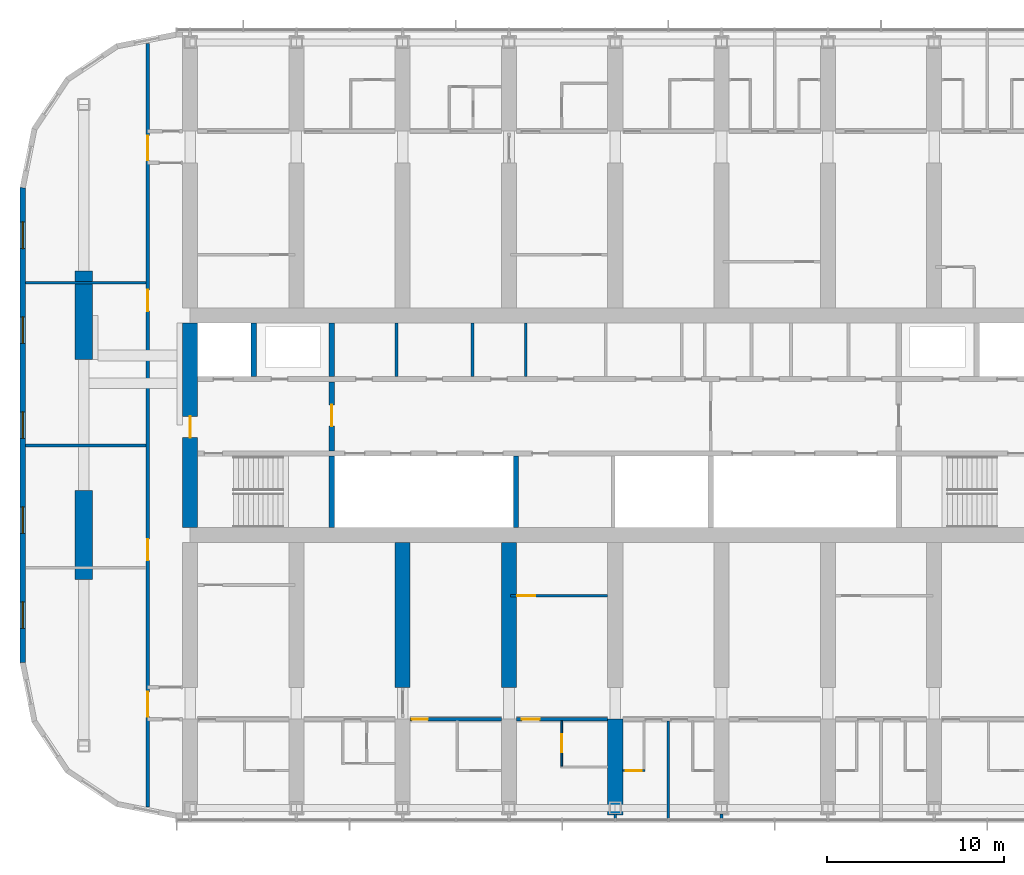
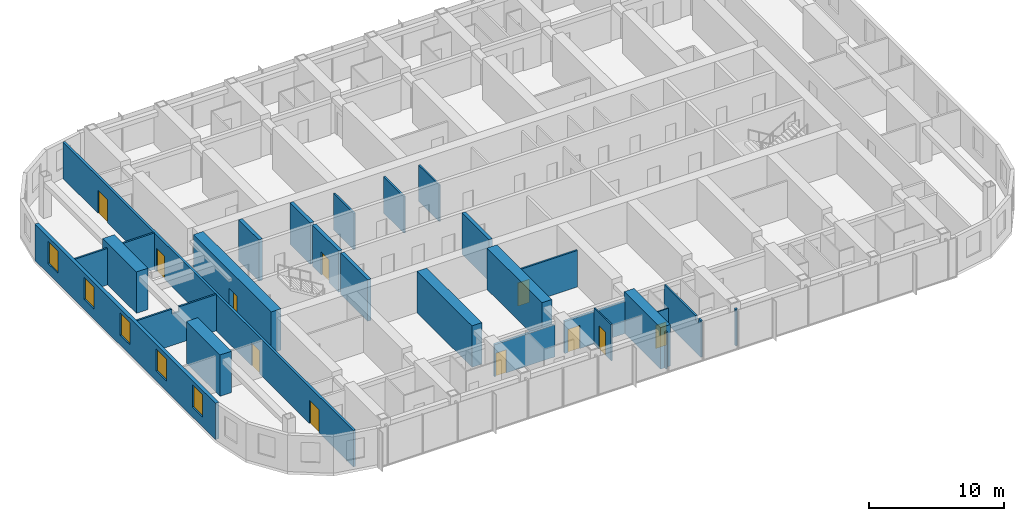
# One storey, part 11 of 23: 26 walls, 11 doors, 5 windows, 16 openings.
"""IFC4 building model written with IfcOpenShell, lengths in metres."""

import ifcopenshell
import ifcopenshell.guid

model = None  # the IFC model being written
_history = None  # IfcOwnerHistory: only IFC2X3 demands one
_inside = {}  # id of a spatial element -> (the spatial element, [elements in it])
_under = {}  # id of a project, library or spatial element -> (it, [spatial elements below it])
_declared = {}  # id of a project -> (the project, [libraries it declares])
_typed = {}  # id of a type object -> (the type object, [elements of that type])
_made_of = {}  # id of a material, layer set ... -> (it, [elements and type objects made of it])


def new_model(schema):
    """Start an empty IFC model of exactly this schema.

    Asked for "IFC4X3", IfcOpenShell would pick the latest addendum, in which some entities
    have other attributes; the version numbers below select the first issue.
    IFC2X3 requires an IfcOwnerHistory on every rooted entity: one is made here for all.
    """
    global model, _history
    if schema == "IFC4X3":
        model = ifcopenshell.file(schema_version=(4, 3, 0, 0))
    else:
        model = ifcopenshell.file(schema=schema)
    _inside.clear()
    _under.clear()
    _declared.clear()
    _typed.clear()
    _made_of.clear()
    _history = None
    if model.schema == "IFC2X3":
        org = make("IfcOrganization", Name="unknown")
        user = make(
            "IfcPersonAndOrganization",
            ThePerson=make("IfcPerson", FamilyName="unknown"),
            TheOrganization=org,
        )
        app = make(
            "IfcApplication",
            ApplicationDeveloper=org,
            Version="unknown",
            ApplicationFullName="unknown",
            ApplicationIdentifier="unknown",
        )
        _history = make(
            "IfcOwnerHistory",
            OwningUser=user,
            OwningApplication=app,
            ChangeAction="ADDED",
            CreationDate=0,
        )
    return model


def make(cls, **values):
    """One entity of the class cls with the attributes given. An attribute that is None is left unset."""
    return model.create_entity(
        cls, **{name: value for name, value in values.items() if value is not None}
    )


def rooted(cls, **values):
    """An entity with a GlobalId (a new one), such as an element, a storey or a relation."""
    return make(cls, GlobalId=ifcopenshell.guid.new(), OwnerHistory=_history, **values)


def si_unit(unit_type, name, prefix=None):
    """IfcSIUnit, for example si_unit("LENGTHUNIT", "METRE", prefix="MILLI")."""
    return make("IfcSIUnit", UnitType=unit_type, Prefix=prefix, Name=name)


def assignment(units):
    """IfcUnitAssignment: the units of a project."""
    return None if units is None else make("IfcUnitAssignment", Units=units)


def point(xyz):
    """IfcCartesianPoint."""
    return None if xyz is None else make("IfcCartesianPoint", Coordinates=xyz)


def direction(xyz):
    """IfcDirection."""
    return None if xyz is None else make("IfcDirection", DirectionRatios=xyz)


def frame(location, z_axis=None, x_axis=None):
    """IfcAxis2Placement3D, a coordinate frame: its origin and axes. An axis left out is left unset."""
    return make(
        "IfcAxis2Placement3D",
        Location=point(location),
        Axis=direction(z_axis),
        RefDirection=direction(x_axis),
    )


def frame_2d(location, x_axis=None):
    """IfcAxis2Placement2D, a coordinate frame in the plane: its origin and x axis."""
    return make(
        "IfcAxis2Placement2D", Location=point(location), RefDirection=direction(x_axis)
    )


def origin():
    """The frame at (0, 0, 0) with its axes left unset."""
    return frame((0.0, 0.0, 0.0))


def place(relative_to, where):
    """IfcLocalPlacement: puts the frame where relative to a parent placement (None: the world)."""
    return make(
        "IfcLocalPlacement", PlacementRelTo=relative_to, RelativePlacement=where
    )


def context(
    kind, dimensions, precision=None, world=None, true_north=None, identifier=None
):
    """IfcGeometricRepresentationContext, for example the 3D "Model" context."""
    return make(
        "IfcGeometricRepresentationContext",
        ContextIdentifier=identifier,
        ContextType=kind,
        CoordinateSpaceDimension=dimensions,
        Precision=precision,
        WorldCoordinateSystem=world,
        TrueNorth=true_north,
    )


def subcontext(parent, identifier, kind, view, scale=None):
    """IfcGeometricRepresentationSubContext, for example "Body" below "Model"."""
    return make(
        "IfcGeometricRepresentationSubContext",
        ContextIdentifier=identifier,
        ContextType=kind,
        ParentContext=parent,
        TargetScale=scale,
        TargetView=view,
    )


def project(units=None, contexts=None):
    """IfcProject with its units and contexts."""
    return rooted(
        "IfcProject",
        Name="project",
        RepresentationContexts=contexts,
        UnitsInContext=assignment(units),
    )


def spatial(cls, under=None, at=None, **own):
    """A site, building, storey or space (cls), placed at a placement, below another one or the project."""
    s = rooted(cls, ObjectPlacement=at, **own)
    if under is not None:
        _under.setdefault(under.id(), (under, []))[1].append(s)
    return s


def polyline(points):
    """IfcPolyline through the points."""
    return make("IfcPolyline", Points=[point(p) for p in points])


def profile(cls, at=None, kind="AREA", **sizes):
    """A parametric profile (cls). Its sizes go by their IFC names, for example OverallWidth=200.0."""
    return make(cls, ProfileType=kind, Position=at, **sizes)


def rectangle(**sizes):
    """IfcRectangleProfileDef."""
    return profile("IfcRectangleProfileDef", **sizes)


def outline(outer, holes=None, kind="AREA"):
    """IfcArbitraryClosedProfileDef: a profile drawn as a closed curve; with holes, ...WithVoids."""
    if holes is None:
        return make("IfcArbitraryClosedProfileDef", ProfileType=kind, OuterCurve=outer)
    return make(
        "IfcArbitraryProfileDefWithVoids",
        ProfileType=kind,
        OuterCurve=outer,
        InnerCurves=holes,
    )


def extrude(swept, where, along, depth):
    """IfcExtrudedAreaSolid: the profile swept, set in the frame where, extruded along a direction by depth."""
    return make(
        "IfcExtrudedAreaSolid",
        SweptArea=swept,
        Position=where,
        ExtrudedDirection=direction(along),
        Depth=depth,
    )


def shape(context_of_items, identifier, shape_type, items):
    """IfcShapeRepresentation: the items that make up one representation, for example the "Body"."""
    return make(
        "IfcShapeRepresentation",
        ContextOfItems=context_of_items,
        RepresentationIdentifier=identifier,
        RepresentationType=shape_type,
        Items=items,
    )


def material(Name=None, Category=None):
    """IfcMaterial."""
    return make("IfcMaterial", Name=Name, Category=Category)


def layer(
    of_material, thickness, ventilated=None, Name=None, Category=None, Priority=None
):
    """IfcMaterialLayer: one layer of a wall or slab, of a material (None: an air gap)."""
    return make(
        "IfcMaterialLayer",
        Material=of_material,
        LayerThickness=thickness,
        IsVentilated=ventilated,
        Name=Name,
        Category=Category,
        Priority=Priority,
    )


def layer_set(layers, Name=None):
    """IfcMaterialLayerSet."""
    return make("IfcMaterialLayerSet", MaterialLayers=layers, LayerSetName=Name)


def made_of(thing, what):
    """Note that an element or type object is made of a material, layer set ...; save() writes the relation."""
    if what is not None:
        _made_of.setdefault(what.id(), (what, []))[1].append(thing)
    return thing


def type_object(cls, material=None, **own):
    """A type object (cls), such as IfcWallType, which elements share."""
    return made_of(rooted(cls, **own), material)


def element(
    cls,
    number,
    at=None,
    inside=None,
    cuts=None,
    type_object=None,
    material=None,
    context=None,
    identifier="Body",
    shape_type=None,
    held_by="IfcProductDefinitionShape",
    body=None,
    shapes=None,
    **own,
):
    """One element of the class cls, such as IfcWall. Its Tag is "e" and its number.

    at: its placement. inside: the storey or other place that contains it. cuts: it is an
    opening in that element (IfcRelVoidsElement). A single representation is given by context,
    identifier, shape_type and body (its items); several are given by shapes. held_by: the class
    of the entity that holds the representations. save() writes the other relations.
    """
    e = rooted(cls, Tag="e%d" % number, ObjectPlacement=at, **own)
    if body is not None:
        shapes = [shape(context, identifier, shape_type, body)]
    if shapes is not None:
        e.Representation = make(held_by, Representations=shapes)
    if inside is not None:
        _inside.setdefault(inside.id(), (inside, []))[1].append(e)
    if cuts is not None:
        rooted(
            "IfcRelVoidsElement", RelatingBuildingElement=cuts, RelatedOpeningElement=e
        )
    if type_object is not None:
        _typed.setdefault(type_object.id(), (type_object, []))[1].append(e)
    return made_of(e, material)


def fill(opening, filler):
    """IfcRelFillsElement: the door or window that sits in an opening."""
    return rooted(
        "IfcRelFillsElement",
        RelatingOpeningElement=opening,
        RelatedBuildingElement=filler,
    )


def aggregate(whole, parts):
    """IfcRelAggregates: a whole, such as a stair, and the parts it consists of."""
    return rooted("IfcRelAggregates", RelatingObject=whole, RelatedObjects=parts)


def save(model, path):
    """Write the relations noted so far, then the file.

    IfcRelAggregates (storeys below a building ...), IfcRelContainedInSpatialStructure (elements
    in a storey), IfcRelDefinesByType, IfcRelAssociatesMaterial and IfcRelDeclares: one each for
    every whole, place, type object, material and project.
    """
    for whole, parts in _under.values():
        aggregate(whole, parts)
    for where, things in _inside.values():
        rooted(
            "IfcRelContainedInSpatialStructure",
            RelatedElements=things,
            RelatingStructure=where,
        )
    for kind, things in _typed.values():
        rooted("IfcRelDefinesByType", RelatedObjects=things, RelatingType=kind)
    for what, things in _made_of.values():
        rooted("IfcRelAssociatesMaterial", RelatedObjects=things, RelatingMaterial=what)
    for by, libraries in _declared.values():
        rooted("IfcRelDeclares", RelatingContext=by, RelatedDefinitions=libraries)
    model.write(path)


model = new_model("IFC4")

# Units and contexts
model_context = context("Model", 3, precision=1e-05, world=origin(), true_north=direction((0.0, 1.0)))
body_context = subcontext(model_context, "Body", "Model", "MODEL_VIEW")
ifc_project = project(units=[si_unit("LENGTHUNIT", "METRE"), si_unit("AREAUNIT", "SQUARE_METRE"), si_unit("VOLUMEUNIT", "CUBIC_METRE"), si_unit("PLANEANGLEUNIT", "RADIAN"), si_unit("MASSUNIT", "GRAM", prefix="KILO")], contexts=[model_context])

# Site, building, storey
site_placement = place(None, origin())
site = spatial("IfcSite", under=ifc_project, at=site_placement, CompositionType="ELEMENT")
building_placement = place(site_placement, origin())
building = spatial("IfcBuilding", under=site, at=building_placement, Name="Orbita Commons", CompositionType="ELEMENT")
storey_placement = place(building_placement, frame((0.0, 0.0, 174.85009765625)))
storey = spatial("IfcBuildingStorey", under=building, at=storey_placement, Name="L43", CompositionType="ELEMENT", Elevation=174.85009765625)

# Wall
ifc_material_1 = material(Name="Concrete C50/60", Category="concrete")
ifc_layer_1 = layer(ifc_material_1, 0.300048828125)
ifc_layer_set_1 = layer_set([ifc_layer_1], Name="Concrete C50/60")
wall_type_1 = type_object("IfcWallType", Name="Core inner wall 300 C50/60", PredefinedType="SHEAR", material=ifc_layer_set_1)
wall_1_placement = place(storey_placement, frame((26.0, 26.22509765625, 0.0), z_axis=(0.0, 0.0, 1.0), x_axis=(0.0, 1.0, 0.0)))
element("IfcWall", 1, at=wall_1_placement, inside=storey, type_object=wall_type_1, Name="Stair S1 wall L43", PredefinedType="SHEAR", context=body_context, shape_type="SweptSolid", body=[
    extrude(rectangle(XDim=4.02490234375, YDim=0.300048828125, at=frame_2d((2.012451171875, 0.0))), origin(), (0.0, 0.0, 1.0), 3.75),
])

# Wall, opening, door
wall_2_placement = place(storey_placement, frame((26.0, 30.550048828125, 0.0), z_axis=(0.0, 0.0, 1.0), x_axis=(0.0, 1.0, 0.0)))
wall_2 = element("IfcWall", 2, at=wall_2_placement, inside=storey, type_object=wall_type_1, Name="Firefighting lobby wall west L43", PredefinedType="SHEAR", context=body_context, shape_type="SweptSolid", body=[
    extrude(rectangle(XDim=3.89990234375, YDim=0.300048828125, at=frame_2d((1.949951171875, 0.0))), origin(), (0.0, 0.0, 1.0), 3.75),
])
opening_1_placement = place(wall_2_placement, frame((1.39990234375, 0.0, 0.0)))
opening_1 = element("IfcOpeningElement", 3, at=opening_1_placement, cuts=wall_2, Name="Opening D04", PredefinedType="OPENING", context=body_context, shape_type="SweptSolid", body=[
    extrude(rectangle(XDim=1.199951171875, YDim=2.10009765625, at=frame_2d((0.60009765625, 1.050048828125))), frame((0.0, 0.159912109375, 0.0), z_axis=(0.0, -1.0, 0.0), x_axis=(1.0, 0.0, 0.0)), (0.0, 0.0, 1.0), 0.320068359375),
])
ifc_material_2 = material(Name="Steel-faced fire door leaf", Category="steel")
door_type_1 = type_object("IfcDoorType", Name="Service door 20 min 1200x2100", OperationType="SINGLE_SWING_LEFT", PredefinedType="DOOR", material=ifc_material_2)
door_1_placement = place(opening_1_placement, origin())
door_1 = element("IfcDoor", 4, at=door_1_placement, inside=storey, type_object=door_type_1, Name="Lift lobby door west", OperationType="SINGLE_SWING_LEFT", OverallHeight=2.10009765625, OverallWidth=1.199951171875, PredefinedType="DOOR", context=body_context, shape_type="SweptSolid", body=[
    extrude(rectangle(XDim=1.199951171875, YDim=2.10009765625, at=frame_2d((0.60009765625, 1.050048828125))), frame((0.0, 0.02490234375, 0.0), z_axis=(0.0, -1.0, 0.0), x_axis=(1.0, 0.0, 0.0)), (0.0, 0.0, 1.0), 0.050048828125),
])
fill(opening_1, door_1)

# Walls
for number, where, z_axis, x_axis, name in (
    (5, (21.60009765625, 34.75, 0.0), (0.0, 0.0, 1.0), (0.0, 1.0, 0.0), "Firefighting lift FL1 shaft wall L43"),
    (6, (26.0, 34.75, 0.0), (0.0, 0.0, 1.0), (0.0, 1.0, 0.0), "Riser wall west L43"),
):
    element("IfcWall", number, at=place(storey_placement, frame(where, z_axis=z_axis, x_axis=x_axis)), inside=storey, type_object=wall_type_1, Name=name, PredefinedType="SHEAR", context=body_context, shape_type="SweptSolid", body=[
        extrude(rectangle(XDim=3.02490234375, YDim=0.300048828125, at=frame_2d((1.512451171875, 0.0))), origin(), (0.0, 0.0, 1.0), 3.75),
    ])
wall_3_placement = place(storey_placement, frame((36.39990234375, 26.22509765625, 0.0), z_axis=(0.0, 0.0, 1.0), x_axis=(0.0, 1.0, 0.0)))
element("IfcWall", 7, at=wall_3_placement, inside=storey, type_object=wall_type_1, Name="Hoistway division wall L43", PredefinedType="SHEAR", context=body_context, shape_type="SweptSolid", body=[
    extrude(rectangle(XDim=4.02490234375, YDim=0.300048828125, at=frame_2d((2.012451171875, 0.0))), origin(), (0.0, 0.0, 1.0), 3.75),
])
ifc_material_3 = material(Name="Concrete blockwork", Category="masonry")
ifc_layer_2 = layer(ifc_material_3, 0.14990234375)
ifc_layer_set_2 = layer_set([ifc_layer_2], Name="Concrete blockwork")
wall_type_2 = type_object("IfcWallType", Name="Core partition 150 blockwork", PredefinedType="SOLIDWALL", material=ifc_layer_set_2)
for number, where, z_axis, x_axis, name in (
    (8, (29.65087890625, 34.75, 0.0), (0.0, 0.0, 1.0), (0.0, 1.0, 0.0), "Core partition 150 blockwork L43"),
    (9, (33.9462890625, 34.75, 0.0), (0.0, 0.0, 1.0), (0.0, 1.0, 0.0), "Core partition 150 blockwork L43"),
    (10, (36.9462890625, 34.75, 0.0), (0.0, 0.0, 1.0), (0.0, 1.0, 0.0), "Core partition 150 blockwork L43"),
):
    element("IfcWall", number, at=place(storey_placement, frame(where, z_axis=z_axis, x_axis=x_axis)), inside=storey, type_object=wall_type_2, Name=name, PredefinedType="SOLIDWALL", context=body_context, shape_type="SweptSolid", body=[
        extrude(rectangle(XDim=3.02490234375, YDim=0.14990234375, at=frame_2d((1.512451171875, 0.0))), origin(), (0.0, 0.0, 1.0), 3.2998046875),
    ])

# Wall, opening, door
ifc_material_4 = material(Name="Concrete C50/60", Category="concrete")
ifc_layer_3 = layer(ifc_material_4, 0.85009765625)
ifc_layer_set_3 = layer_set([ifc_layer_3], Name="Concrete C50/60")
wall_type_3 = type_object("IfcWallType", Name="Core wall 850 C50/60", PredefinedType="SHEAR", material=ifc_layer_set_3)
wall_4_placement = place(storey_placement, frame((18.0, 26.22509765625, 0.0), z_axis=(0.0, 0.0, 1.0), x_axis=(0.0, 1.0, 0.0)))
wall_4 = element("IfcWall", 11, at=wall_4_placement, inside=storey, type_object=wall_type_3, Name="Core end wall west L43", PredefinedType="SHEAR", context=body_context, shape_type="SweptSolid", body=[
    extrude(rectangle(XDim=11.5498046875, YDim=0.85009765625, at=frame_2d((5.77490234375, 0.0))), origin(), (0.0, 0.0, 1.0), 3.75),
])
opening_2_placement = place(wall_4_placement, frame((5.074951171875, 0.0, 0.0)))
opening_2 = element("IfcOpeningElement", 12, at=opening_2_placement, cuts=wall_4, Name="Opening D01", PredefinedType="OPENING", context=body_context, shape_type="SweptSolid", body=[
    extrude(rectangle(XDim=1.199951171875, YDim=2.10009765625, at=frame_2d((0.60009765625, 1.050048828125))), frame((0.0, 0.43505859375, 0.0), z_axis=(0.0, -1.0, 0.0), x_axis=(1.0, 0.0, 0.0)), (0.0, 0.0, 1.0), 0.8701171875),
])
ifc_material_5 = material(Name="Steel-faced fire door leaf", Category="steel")
door_type_2 = type_object("IfcDoorType", Name="Fire door 90 min 1200x2100", OperationType="SINGLE_SWING_LEFT", PredefinedType="DOOR", material=ifc_material_5)
door_2_placement = place(opening_2_placement, origin())
door_2 = element("IfcDoor", 13, at=door_2_placement, inside=storey, type_object=door_type_2, Name="Firefighting lobby west door", OperationType="SINGLE_SWING_LEFT", OverallHeight=2.10009765625, OverallWidth=1.199951171875, PredefinedType="DOOR", context=body_context, shape_type="SweptSolid", body=[
    extrude(rectangle(XDim=1.199951171875, YDim=2.10009765625, at=frame_2d((0.60009765625, 1.050048828125))), frame((0.0, 0.02490234375, 0.0), z_axis=(0.0, -1.0, 0.0), x_axis=(1.0, 0.0, 0.0)), (0.0, 0.0, 1.0), 0.050048828125),
])
fill(opening_2, door_2)

ifc_material_6 = material(Name="Concrete blockwork", Category="masonry")
ifc_layer_4 = layer(ifc_material_6, 0.199951171875)
ifc_layer_set_4 = layer_set([ifc_layer_4], Name="Concrete blockwork")
wall_type_4 = type_object("IfcWallType", Name="Corridor wall 200 blockwork", PredefinedType="SOLIDWALL", material=ifc_layer_set_4)
wall_5_placement = place(storey_placement, frame((30.425048828125, 15.39990234375, 0.0), z_axis=(0.0, 0.0, 1.0), x_axis=(1.0, 0.0, 0.0)))
wall_5 = element("IfcWall", 14, at=wall_5_placement, inside=storey, type_object=wall_type_4, Name="Corridor wall 200 blockwork L43", PredefinedType="SOLIDWALL", context=body_context, shape_type="SweptSolid", body=[
    extrude(outline(polyline([(0.0, 0.0), (5.14990234375, 0.0), (5.14990234375, 2.89990234375), (0.0, 2.89990234375), (0.0, 0.0)])), frame((0.0, 0.10009765625, 0.0), z_axis=(0.0, -1.0, 0.0), x_axis=(1.0, 0.0, 0.0)), (0.0, 0.0, 1.0), 0.199951171875),
])
opening_3_placement = place(wall_5_placement, frame((0.10009765625, 0.0, 0.0)))
opening_3 = element("IfcOpeningElement", 15, at=opening_3_placement, cuts=wall_5, Name="Opening D11", PredefinedType="OPENING", context=body_context, shape_type="SweptSolid", body=[
    extrude(rectangle(XDim=0.89990234375, YDim=2.10009765625, at=frame_2d((0.449951171875, 1.050048828125))), frame((0.0, 0.10986328125, 0.0), z_axis=(0.0, -1.0, 0.0), x_axis=(1.0, 0.0, 0.0)), (0.0, 0.0, 1.0), 0.219970703125),
])
ifc_material_7 = material(Name="Steel-faced fire door leaf", Category="steel")
door_type_3 = type_object("IfcDoorType", Name="Corridor door 20 min 900x2100", OperationType="SINGLE_SWING_LEFT", PredefinedType="DOOR", material=ifc_material_7)
door_3_placement = place(opening_3_placement, origin())
door_3 = element("IfcDoor", 16, at=door_3_placement, inside=storey, type_object=door_type_3, Name="Twin room L43-S04 door", OperationType="SINGLE_SWING_LEFT", OverallHeight=2.10009765625, OverallWidth=0.89990234375, PredefinedType="DOOR", context=body_context, shape_type="SweptSolid", body=[
    extrude(rectangle(XDim=0.89990234375, YDim=2.10009765625, at=frame_2d((0.449951171875, 1.050048828125))), frame((0.0, 0.02490234375, 0.0), z_axis=(0.0, -1.0, 0.0), x_axis=(1.0, 0.0, 0.0)), (0.0, 0.0, 1.0), 0.050048828125),
])
fill(opening_3, door_3)

wall_6_placement = place(storey_placement, frame((36.425048828125, 15.39990234375, 0.0), z_axis=(0.0, 0.0, 1.0), x_axis=(1.0, 0.0, 0.0)))
wall_6 = element("IfcWall", 17, at=wall_6_placement, inside=storey, type_object=wall_type_4, Name="Corridor wall 200 blockwork L43", PredefinedType="SOLIDWALL", context=body_context, shape_type="SweptSolid", body=[
    extrude(outline(polyline([(0.0, 0.0), (5.14990234375, 0.0), (5.14990234375, 2.89990234375), (0.0, 2.89990234375), (0.0, 0.0)])), frame((0.0, 0.10009765625, 0.0), z_axis=(0.0, -1.0, 0.0), x_axis=(1.0, 0.0, 0.0)), (0.0, 0.0, 1.0), 0.199951171875),
])
opening_4_placement = place(wall_6_placement, frame((0.300048828125, 0.0, 0.0)))
opening_4 = element("IfcOpeningElement", 18, at=opening_4_placement, cuts=wall_6, Name="Opening D06", PredefinedType="OPENING", context=body_context, shape_type="SweptSolid", body=[
    extrude(rectangle(XDim=1.0, YDim=2.10009765625, at=frame_2d((0.5, 1.050048828125))), frame((0.0, 0.10986328125, 0.0), z_axis=(0.0, -1.0, 0.0), x_axis=(1.0, 0.0, 0.0)), (0.0, 0.0, 1.0), 0.219970703125),
])
ifc_material_8 = material(Name="Steel-faced fire door leaf", Category="steel")
door_type_4 = type_object("IfcDoorType", Name="Corridor door 20 min 1000x2100", OperationType="SINGLE_SWING_LEFT", PredefinedType="DOOR", material=ifc_material_8)
door_4_placement = place(opening_4_placement, origin())
door_4 = element("IfcDoor", 19, at=door_4_placement, inside=storey, type_object=door_type_4, Name="Accessible bedroom L43-S06 door", OperationType="SINGLE_SWING_LEFT", OverallHeight=2.10009765625, OverallWidth=1.0, PredefinedType="DOOR", context=body_context, shape_type="SweptSolid", body=[
    extrude(rectangle(XDim=1.0, YDim=2.10009765625, at=frame_2d((0.5, 1.050048828125))), frame((0.0, 0.02490234375, 0.0), z_axis=(0.0, -1.0, 0.0), x_axis=(1.0, 0.0, 0.0)), (0.0, 0.0, 1.0), 0.050048828125),
])
fill(opening_4, door_4)

# Wall, openings, doors
wall_7_placement = place(storey_placement, frame((15.60009765625, 10.4462890625, 0.0), z_axis=(0.0, 0.0, 1.0), x_axis=(0.0, 1.0, 0.0)))
wall_7 = element("IfcWall", 20, at=wall_7_placement, inside=storey, type_object=wall_type_4, Name="Corridor wall 200 blockwork L43", PredefinedType="SOLIDWALL", context=body_context, shape_type="SweptSolid", body=[
    extrude(rectangle(XDim=43.107421875, YDim=0.199951171875, at=frame_2d((21.5537109375, 0.0))), origin(), (0.0, 0.0, 1.0), 3.2998046875),
])
opening_5_placement = place(wall_7_placement, frame((13.913818359375, 0.0, 0.0)))
opening_5 = element("IfcOpeningElement", 21, at=opening_5_placement, cuts=wall_7, Name="Opening D15", PredefinedType="OPENING", context=body_context, shape_type="SweptSolid", body=[
    extrude(rectangle(XDim=1.199951171875, YDim=2.10009765625, at=frame_2d((0.60009765625, 1.050048828125))), frame((0.0, 0.10986328125, 0.0), z_axis=(0.0, -1.0, 0.0), x_axis=(1.0, 0.0, 0.0)), (0.0, 0.0, 1.0), 0.219970703125),
])
opening_6_placement = place(wall_7_placement, frame((27.993896484375, 0.0, 0.0)))
opening_6 = element("IfcOpeningElement", 22, at=opening_6_placement, cuts=wall_7, Name="Opening D15", PredefinedType="OPENING", context=body_context, shape_type="SweptSolid", body=[
    extrude(rectangle(XDim=1.199951171875, YDim=2.10009765625, at=frame_2d((0.60009765625, 1.050048828125))), frame((0.0, 0.10986328125, 0.0), z_axis=(0.0, -1.0, 0.0), x_axis=(1.0, 0.0, 0.0)), (0.0, 0.0, 1.0), 0.219970703125),
])
opening_7_placement = place(wall_7_placement, frame((5.103759765625, 0.0, 0.0)))
opening_7 = element("IfcOpeningElement", 23, at=opening_7_placement, cuts=wall_7, Name="Opening D08", PredefinedType="OPENING", context=body_context, shape_type="SweptSolid", body=[
    extrude(rectangle(XDim=1.39990234375, YDim=2.10009765625, at=frame_2d((0.699951171875, 1.050048828125))), frame((0.0, 0.10986328125, 0.0), z_axis=(0.0, -1.0, 0.0), x_axis=(1.0, 0.0, 0.0)), (0.0, 0.0, 1.0), 0.219970703125),
])
opening_8_placement = place(wall_7_placement, frame((36.50390625, 0.0, 0.0)))
opening_8 = element("IfcOpeningElement", 24, at=opening_8_placement, cuts=wall_7, Name="Opening D08", PredefinedType="OPENING", context=body_context, shape_type="SweptSolid", body=[
    extrude(rectangle(XDim=1.39990234375, YDim=2.10009765625, at=frame_2d((0.699951171875, 1.050048828125))), frame((0.0, 0.10986328125, 0.0), z_axis=(0.0, -1.0, 0.0), x_axis=(1.0, 0.0, 0.0)), (0.0, 0.0, 1.0), 0.219970703125),
])
ifc_material_9 = material(Name="Steel-faced fire door leaf", Category="steel")
door_type_5 = type_object("IfcDoorType", Name="Corridor door 20 min 1200x2100", OperationType="SINGLE_SWING_LEFT", PredefinedType="DOOR", material=ifc_material_9)
door_5_placement = place(opening_5_placement, origin())
door_5 = element("IfcDoor", 25, at=door_5_placement, inside=storey, type_object=door_type_5, Name="Study hall door", OperationType="SINGLE_SWING_LEFT", OverallHeight=2.10009765625, OverallWidth=1.199951171875, PredefinedType="DOOR", context=body_context, shape_type="SweptSolid", body=[
    extrude(rectangle(XDim=1.199951171875, YDim=2.10009765625, at=frame_2d((0.60009765625, 1.050048828125))), frame((0.0, 0.02490234375, 0.0), z_axis=(0.0, -1.0, 0.0), x_axis=(1.0, 0.0, 0.0)), (0.0, 0.0, 1.0), 0.050048828125),
])
fill(opening_5, door_5)
door_6_placement = place(opening_6_placement, origin())
door_6 = element("IfcDoor", 26, at=door_6_placement, inside=storey, type_object=door_type_5, Name="Study hall door", OperationType="SINGLE_SWING_LEFT", OverallHeight=2.10009765625, OverallWidth=1.199951171875, PredefinedType="DOOR", context=body_context, shape_type="SweptSolid", body=[
    extrude(rectangle(XDim=1.199951171875, YDim=2.10009765625, at=frame_2d((0.60009765625, 1.050048828125))), frame((0.0, 0.02490234375, 0.0), z_axis=(0.0, -1.0, 0.0), x_axis=(1.0, 0.0, 0.0)), (0.0, 0.0, 1.0), 0.050048828125),
])
fill(opening_6, door_6)
ifc_material_10 = material(Name="Steel-faced fire door leaf", Category="steel")
door_type_6 = type_object("IfcDoorType", Name="Double corridor door 20 min 1400x2100", OperationType="DOUBLE_DOOR_SINGLE_SWING", PredefinedType="DOOR", material=ifc_material_10)
door_7_placement = place(opening_7_placement, origin())
door_7 = element("IfcDoor", 27, at=door_7_placement, inside=storey, type_object=door_type_6, Name="Lounge doors", OperationType="DOUBLE_DOOR_SINGLE_SWING", OverallHeight=2.10009765625, OverallWidth=1.39990234375, PredefinedType="DOOR", context=body_context, shape_type="SweptSolid", body=[
    extrude(rectangle(XDim=1.39990234375, YDim=2.10009765625, at=frame_2d((0.699951171875, 1.050048828125))), frame((0.0, 0.02490234375, 0.0), z_axis=(0.0, -1.0, 0.0), x_axis=(1.0, 0.0, 0.0)), (0.0, 0.0, 1.0), 0.050048828125),
])
fill(opening_7, door_7)
door_8_placement = place(opening_8_placement, origin())
door_8 = element("IfcDoor", 28, at=door_8_placement, inside=storey, type_object=door_type_6, Name="Lounge doors", OperationType="DOUBLE_DOOR_SINGLE_SWING", OverallHeight=2.10009765625, OverallWidth=1.39990234375, PredefinedType="DOOR", context=body_context, shape_type="SweptSolid", body=[
    extrude(rectangle(XDim=1.39990234375, YDim=2.10009765625, at=frame_2d((0.699951171875, 1.050048828125))), frame((0.0, 0.02490234375, 0.0), z_axis=(0.0, -1.0, 0.0), x_axis=(1.0, 0.0, 0.0)), (0.0, 0.0, 1.0), 0.050048828125),
])
fill(opening_8, door_8)

# Walls
ifc_material_11 = material(Name="Concrete C50/60", Category="concrete")
ifc_layer_5 = layer(ifc_material_11, 0.85009765625)
ifc_layer_set_5 = layer_set([ifc_layer_5], Name="Concrete C50/60")
wall_type_5 = type_object("IfcWallType", Name="Cross wall 850 C50/60", PredefinedType="SHEAR", material=ifc_layer_set_5)
for number, where, z_axis, x_axis, name in (
    (29, (30.0, 17.199951171875, 0.0), (0.0, 0.0, 1.0), (0.0, 1.0, 0.0), "Cross wall 6 south inner L43"),
    (30, (36.0, 17.199951171875, 0.0), (0.0, 0.0, 1.0), (0.0, 1.0, 0.0), "Cross wall 7 south inner L43"),
):
    element("IfcWall", number, at=place(storey_placement, frame(where, z_axis=z_axis, x_axis=x_axis)), inside=storey, type_object=wall_type_5, Name=name, PredefinedType="SHEAR", context=body_context, shape_type="SweptSolid", body=[
        extrude(rectangle(XDim=8.175048828125, YDim=0.85009765625, at=frame_2d((4.08740234375, 0.0))), origin(), (0.0, 0.0, 1.0), 3.75),
    ])
wall_8_placement = place(storey_placement, frame((42.0, 10.0, 0.0), z_axis=(0.0, 0.0, 1.0), x_axis=(0.0, 1.0, 0.0)))
element("IfcWall", 31, at=wall_8_placement, inside=storey, type_object=wall_type_5, Name="Cross wall 8 south outer L43", PredefinedType="SHEAR", context=body_context, shape_type="SweptSolid", body=[
    extrude(rectangle(XDim=5.39990234375, YDim=0.85009765625, at=frame_2d((2.699951171875, 0.0))), origin(), (0.0, 0.0, 1.0), 3.75),
])

# Wall, opening, door
ifc_material_12 = material(Name="Moisture-resistant plasterboard on steel studs", Category="steel")
ifc_layer_6 = layer(ifc_material_12, 0.10009765625)
ifc_layer_set_6 = layer_set([ifc_layer_6], Name="Moisture-resistant plasterboard on steel studs")
wall_type_6 = type_object("IfcWallType", Name="En-suite partition 100", PredefinedType="PARTITIONING", material=ifc_layer_set_6)
wall_9_placement = place(storey_placement, frame((38.97509765625, 12.75, 0.0), z_axis=(0.0, 0.0, 1.0), x_axis=(0.0, 1.0, 0.0)))
wall_9 = element("IfcWall", 32, at=wall_9_placement, inside=storey, type_object=wall_type_6, Name="En-suite partition 100 L43", PredefinedType="PARTITIONING", context=body_context, shape_type="SweptSolid", body=[
    extrude(outline(polyline([(0.0, 0.0), (2.550048828125, 0.0), (2.550048828125, 2.89990234375), (2.501953125, 2.89990234375), (2.5, 3.2998046875), (0.0, 3.2998046875), (0.0, 0.0)])), frame((0.0, 0.050048828125, 0.0), z_axis=(0.0, -1.0, 0.0), x_axis=(1.0, 0.0, 0.0)), (0.0, 0.0, 1.0), 0.10009765625),
])
opening_9_placement = place(wall_9_placement, frame((0.800048828125, 0.0, 0.0)))
opening_9 = element("IfcOpeningElement", 33, at=opening_9_placement, cuts=wall_9, Name="Opening D13", PredefinedType="OPENING", context=body_context, shape_type="SweptSolid", body=[
    extrude(rectangle(XDim=1.0, YDim=2.10009765625, at=frame_2d((0.5, 1.050048828125))), frame((0.0, 0.06005859375, 0.0), z_axis=(0.0, -1.0, 0.0), x_axis=(1.0, 0.0, 0.0)), (0.0, 0.0, 1.0), 0.1201171875),
])
ifc_material_13 = material(Name="Laminated timber door leaf", Category="wood")
door_type_7 = type_object("IfcDoorType", Name="En-suite door 1000x2100", OperationType="SINGLE_SWING_RIGHT", PredefinedType="DOOR", material=ifc_material_13)
door_9_placement = place(opening_9_placement, origin())
door_9 = element("IfcDoor", 34, at=door_9_placement, inside=storey, type_object=door_type_7, Name="Accessible shower room L43-S06 door", OperationType="SINGLE_SWING_RIGHT", OverallHeight=2.10009765625, OverallWidth=1.0, PredefinedType="DOOR", context=body_context, shape_type="SweptSolid", body=[
    extrude(rectangle(XDim=1.0, YDim=2.10009765625, at=frame_2d((0.5, 1.050048828125))), frame((0.0, 0.02490234375, 0.0), z_axis=(0.0, -1.0, 0.0), x_axis=(1.0, 0.0, 0.0)), (0.0, 0.0, 1.0), 0.050048828125),
])
fill(opening_9, door_9)

wall_10_placement = place(storey_placement, frame((43.675048828125, 12.5, 0.0), z_axis=(0.0, 0.0, 1.0), x_axis=(-1.0, 0.0, 0.0)))
wall_10 = element("IfcWall", 35, at=wall_10_placement, inside=storey, type_object=wall_type_6, Name="En-suite partition 100 L43", PredefinedType="PARTITIONING", context=body_context, shape_type="SweptSolid", body=[
    extrude(rectangle(XDim=1.25, YDim=0.10009765625, at=frame_2d((0.625, 0.0))), origin(), (0.0, 0.0, 1.0), 3.2998046875),
])
opening_10_placement = place(wall_10_placement, frame((0.175048828125, 0.0, 0.0)))
opening_10 = element("IfcOpeningElement", 36, at=opening_10_placement, cuts=wall_10, Name="Opening D09", PredefinedType="OPENING", context=body_context, shape_type="SweptSolid", body=[
    extrude(rectangle(XDim=0.89990234375, YDim=2.10009765625, at=frame_2d((0.449951171875, 1.050048828125))), frame((0.0, 0.06005859375, 0.0), z_axis=(0.0, -1.0, 0.0), x_axis=(1.0, 0.0, 0.0)), (0.0, 0.0, 1.0), 0.1201171875),
])
ifc_material_14 = material(Name="Laminated timber door leaf", Category="wood")
door_type_8 = type_object("IfcDoorType", Name="En-suite door 900x2100", OperationType="SINGLE_SWING_RIGHT", PredefinedType="DOOR", material=ifc_material_14)
door_10_placement = place(opening_10_placement, origin())
door_10 = element("IfcDoor", 37, at=door_10_placement, inside=storey, type_object=door_type_8, Name="En-suite L43-S08 door", OperationType="SINGLE_SWING_RIGHT", OverallHeight=2.10009765625, OverallWidth=0.89990234375, PredefinedType="DOOR", context=body_context, shape_type="SweptSolid", body=[
    extrude(rectangle(XDim=0.89990234375, YDim=2.10009765625, at=frame_2d((0.449951171875, 1.050048828125))), frame((0.0, 0.02490234375, 0.0), z_axis=(0.0, -1.0, 0.0), x_axis=(1.0, 0.0, 0.0)), (0.0, 0.0, 1.0), 0.050048828125),
])
fill(opening_10, door_10)

# Walls
ifc_material_15 = material(Name="Concrete C50/60", Category="concrete")
ifc_layer_7 = layer(ifc_material_15, 1.0)
ifc_layer_set_7 = layer_set([ifc_layer_7], Name="Concrete C50/60")
wall_type_7 = type_object("IfcWallType", Name="End pier 1000x5000 C50/60", PredefinedType="SHEAR", material=ifc_layer_set_7)
for number, where, z_axis, x_axis, name in (
    (38, (12.0, 23.300048828125, 0.0), (0.0, 0.0, 1.0), (0.0, 1.0, 0.0), "End pier 3/C L43"),
    (39, (12.0, 35.699951171875, 0.0), (0.0, 0.0, 1.0), (0.0, 1.0, 0.0), "End pier 3/D L43"),
):
    element("IfcWall", number, at=place(storey_placement, frame(where, z_axis=z_axis, x_axis=x_axis)), inside=storey, type_object=wall_type_7, Name=name, PredefinedType="SHEAR", context=body_context, shape_type="SweptSolid", body=[
        extrude(rectangle(XDim=5.0, YDim=1.0, at=frame_2d((2.5, 0.0))), origin(), (0.0, 0.0, 1.0), 3.75),
    ])

# Wall, opening, door
ifc_material_16 = material(Name="Gypsum plasterboard on steel studs", Category="steel")
ifc_layer_8 = layer(ifc_material_16, 0.14990234375)
ifc_layer_set_8 = layer_set([ifc_layer_8], Name="Gypsum plasterboard on steel studs")
wall_type_8 = type_object("IfcWallType", Name="Partition 150 plasterboard", PredefinedType="PARTITIONING", material=ifc_layer_set_8)
wall_11_placement = place(storey_placement, frame((36.074951171875, 22.375, 0.0), z_axis=(0.0, 0.0, 1.0), x_axis=(1.0, 0.0, 0.0)))
wall_11 = element("IfcWall", 40, at=wall_11_placement, inside=storey, type_object=wall_type_8, Name="Partition 150 plasterboard L43", PredefinedType="PARTITIONING", context=body_context, shape_type="SweptSolid", body=[
    extrude(rectangle(XDim=5.5, YDim=0.14990234375, at=frame_2d((2.75, 0.0))), origin(), (0.0, 0.0, 1.0), 3.2998046875),
])
opening_11_placement = place(wall_11_placement, frame((0.39990234375, 0.0, 0.0)))
opening_11 = element("IfcOpeningElement", 41, at=opening_11_placement, cuts=wall_11, Name="Opening D17", PredefinedType="OPENING", context=body_context, shape_type="SweptSolid", body=[
    extrude(rectangle(XDim=1.0, YDim=2.10009765625, at=frame_2d((0.5, 1.050048828125))), frame((0.0, 0.0849609375, 0.0), z_axis=(0.0, -1.0, 0.0), x_axis=(1.0, 0.0, 0.0)), (0.0, 0.0, 1.0), 0.169921875),
])
ifc_material_17 = material(Name="Steel-faced fire door leaf", Category="steel")
door_type_9 = type_object("IfcDoorType", Name="Shaft access door 90 min 1000x2100", OperationType="SINGLE_SWING_LEFT", PredefinedType="DOOR", material=ifc_material_17)
door_11_placement = place(opening_11_placement, origin())
door_11 = element("IfcDoor", 42, at=door_11_placement, inside=storey, type_object=door_type_9, Name="Ventilation plant room south L43-BDS36 door", OperationType="SINGLE_SWING_LEFT", OverallHeight=2.10009765625, OverallWidth=1.0, PredefinedType="DOOR", context=body_context, shape_type="SweptSolid", body=[
    extrude(rectangle(XDim=1.0, YDim=2.10009765625, at=frame_2d((0.5, 1.050048828125))), frame((0.0, 0.02490234375, 0.0), z_axis=(0.0, -1.0, 0.0), x_axis=(1.0, 0.0, 0.0)), (0.0, 0.0, 1.0), 0.050048828125),
])
fill(opening_11, door_11)

# Walls
wall_12_placement = place(storey_placement, frame((8.705078125, 30.85009765625, 0.0), z_axis=(0.0, 0.0, 1.0), x_axis=(1.0, 0.0, 0.0)))
element("IfcWall", 43, at=wall_12_placement, inside=storey, type_object=wall_type_8, Name="Partition 150 plasterboard L43", PredefinedType="PARTITIONING", context=body_context, shape_type="SweptSolid", body=[
    extrude(outline(polyline([(0.0, 0.0), (6.81982421875, 0.0), (6.820068359375, 3.2998046875), (3.596923828125, 3.2998046875), (3.594970703125, 2.849853515625), (2.9970703125, 2.849853515625), (2.9951171875, 3.2998046875), (0.0, 3.2998046875), (0.0, 0.0)])), frame((0.0, 0.074951171875, 0.0), z_axis=(0.0, -1.0, 0.0), x_axis=(1.0, 0.0, 0.0)), (0.0, 0.0, 1.0), 0.14990234375),
])
wall_13_placement = place(storey_placement, frame((8.705078125, 40.0400390625, 0.0), z_axis=(0.0, 0.0, 1.0), x_axis=(1.0, 0.0, 0.0)))
element("IfcWall", 44, at=wall_13_placement, inside=storey, type_object=wall_type_8, Name="Partition 150 plasterboard L43", PredefinedType="PARTITIONING", context=body_context, shape_type="SweptSolid", body=[
    extrude(rectangle(XDim=6.81982421875, YDim=0.14990234375, at=frame_2d((3.409912109375, 0.0))), origin(), (0.0, 0.0, 1.0), 3.2998046875),
])
for number, where, z_axis, x_axis, name in (
    (45, (42.0, 10.050048828125, 0.0), (0.0, 0.0, 1.0), (0.0, -1.0, 0.0), "Partition 150 plasterboard L43"),
    (46, (48.0, 10.050048828125, 0.0), (0.0, 0.0, 1.0), (0.0, -1.0, 0.0), "Partition 150 plasterboard L43"),
):
    element("IfcWall", number, at=place(storey_placement, frame(where, z_axis=z_axis, x_axis=x_axis)), inside=storey, type_object=wall_type_8, Name=name, PredefinedType="PARTITIONING", context=body_context, shape_type="SweptSolid", body=[
        extrude(rectangle(XDim=0.239990234375, YDim=0.14990234375, at=frame_2d((0.1201171875, 0.0))), origin(), (0.0, 0.0, 1.0), 3.2998046875),
    ])
ifc_material_18 = material(Name="Gypsum plasterboard on steel studs", Category="steel")
ifc_layer_9 = layer(ifc_material_18, 0.14990234375)
ifc_layer_set_9 = layer_set([ifc_layer_9], Name="Gypsum plasterboard on steel studs")
wall_type_9 = type_object("IfcWallType", Name="Party wall 150 plasterboard", PredefinedType="PARTITIONING", material=ifc_layer_set_9)
wall_14_placement = place(storey_placement, frame((45.0, 9.81005859375, 0.0), z_axis=(0.0, 0.0, 1.0), x_axis=(0.0, 1.0, 0.0)))
element("IfcWall", 47, at=wall_14_placement, inside=storey, type_object=wall_type_9, Name="Party wall 150 plasterboard L43", PredefinedType="PARTITIONING", context=body_context, shape_type="SweptSolid", body=[
    extrude(outline(polyline([(0.0, 0.0), (5.489990234375, 0.0), (5.489990234375, 2.89990234375), (5.44189453125, 2.89990234375), (5.43994140625, 3.2998046875), (0.7919921875, 3.2998046875), (0.7900390625, 2.89990234375), (0.39208984375, 2.89990234375), (0.389892578125, 3.2998046875), (0.0, 3.2998046875), (0.0, 0.0)])), frame((0.0, 0.074951171875, 0.0), z_axis=(0.0, -1.0, 0.0), x_axis=(1.0, 0.0, 0.0)), (0.0, 0.0, 1.0), 0.14990234375),
])

# Wall, openings, windows
ifc_material_19 = material(Name="Precast concrete C40/50, white board-marked finish", Category="concrete")
ifc_layer_10 = layer(ifc_material_19, 0.300048828125)
ifc_layer_set_10 = layer_set([ifc_layer_10], Name="Precast concrete C40/50, white board-marked finish")
wall_type_10 = type_object("IfcWallType", Name="Precast concrete end shield 300", PredefinedType="SOLIDWALL", material=ifc_layer_set_10)
wall_15_placement = place(storey_placement, frame((8.550048828125, 45.39990234375, 0.0), z_axis=(0.0, 0.0, 1.0), x_axis=(0.0, -1.0, 0.0)))
wall_15 = element("IfcWall", 48, at=wall_15_placement, inside=storey, type_object=wall_type_10, Name="End shield W L43", PredefinedType="SOLIDWALL", context=body_context, shape_type="SweptSolid", body=[
    extrude(outline(polyline([(-0.014892578125, -0.14990234375), (26.814697265625, -0.14990234375), (26.784912109375, 0.14990234375), (0.014892578125, 0.14990234375), (-0.014892578125, -0.14990234375)])), origin(), (0.0, 0.0, 1.0), 3.2998046875),
])
opening_12_placement = place(wall_15_placement, frame((1.929931640625, 0.0, 0.89990234375)))
opening_12 = element("IfcOpeningElement", 49, at=opening_12_placement, cuts=wall_15, Name="Opening W01", PredefinedType="OPENING", context=body_context, shape_type="SweptSolid", body=[
    extrude(rectangle(XDim=1.5, YDim=2.0, at=frame_2d((0.75, 1.0))), frame((0.0, 0.159912109375, 0.0), z_axis=(0.0, -1.0, 0.0), x_axis=(1.0, 0.0, 0.0)), (0.0, 0.0, 1.0), 0.320068359375),
])
opening_13_placement = place(wall_15_placement, frame((7.2900390625, 0.0, 0.89990234375)))
opening_13 = element("IfcOpeningElement", 50, at=opening_13_placement, cuts=wall_15, Name="Opening W01", PredefinedType="OPENING", context=body_context, shape_type="SweptSolid", body=[
    extrude(rectangle(XDim=1.5, YDim=2.0, at=frame_2d((0.75, 1.0))), frame((0.0, 0.159912109375, 0.0), z_axis=(0.0, -1.0, 0.0), x_axis=(1.0, 0.0, 0.0)), (0.0, 0.0, 1.0), 0.320068359375),
])
opening_14_placement = place(wall_15_placement, frame((12.64990234375, 0.0, 0.89990234375)))
opening_14 = element("IfcOpeningElement", 51, at=opening_14_placement, cuts=wall_15, Name="Opening W01", PredefinedType="OPENING", context=body_context, shape_type="SweptSolid", body=[
    extrude(rectangle(XDim=1.5, YDim=2.0, at=frame_2d((0.75, 1.0))), frame((0.0, 0.159912109375, 0.0), z_axis=(0.0, -1.0, 0.0), x_axis=(1.0, 0.0, 0.0)), (0.0, 0.0, 1.0), 0.320068359375),
])
opening_15_placement = place(wall_15_placement, frame((18.010009765625, 0.0, 0.89990234375)))
opening_15 = element("IfcOpeningElement", 52, at=opening_15_placement, cuts=wall_15, Name="Opening W01", PredefinedType="OPENING", context=body_context, shape_type="SweptSolid", body=[
    extrude(rectangle(XDim=1.5, YDim=2.0, at=frame_2d((0.75, 1.0))), frame((0.0, 0.159912109375, 0.0), z_axis=(0.0, -1.0, 0.0), x_axis=(1.0, 0.0, 0.0)), (0.0, 0.0, 1.0), 0.320068359375),
])
opening_16_placement = place(wall_15_placement, frame((23.3701171875, 0.0, 0.89990234375)))
opening_16 = element("IfcOpeningElement", 53, at=opening_16_placement, cuts=wall_15, Name="Opening W01", PredefinedType="OPENING", context=body_context, shape_type="SweptSolid", body=[
    extrude(rectangle(XDim=1.5, YDim=2.0, at=frame_2d((0.75, 1.0))), frame((0.0, 0.159912109375, 0.0), z_axis=(0.0, -1.0, 0.0), x_axis=(1.0, 0.0, 0.0)), (0.0, 0.0, 1.0), 0.320068359375),
])
ifc_material_20 = material(Name="Aluminium frame, clear double glazing", Category="aluminium")
window_type = type_object("IfcWindowType", Name="Deep-set window 1500x2000", PartitioningType="SINGLE_PANEL", PredefinedType="WINDOW", material=ifc_material_20)
window_1_placement = place(opening_12_placement, origin())
window_1 = element("IfcWindow", 54, at=window_1_placement, inside=storey, type_object=window_type, Name="Window L43-W 1", OverallHeight=2.0, OverallWidth=1.5, PartitioningType="SINGLE_PANEL", PredefinedType="WINDOW", context=body_context, shape_type="SweptSolid", body=[
    extrude(rectangle(XDim=1.5, YDim=2.0, at=frame_2d((0.75, 1.0))), frame((0.0, 0.030029296875, 0.0), z_axis=(0.0, -1.0, 0.0), x_axis=(1.0, 0.0, 0.0)), (0.0, 0.0, 1.0), 0.06005859375),
])
fill(opening_12, window_1)
window_2_placement = place(opening_13_placement, origin())
window_2 = element("IfcWindow", 55, at=window_2_placement, inside=storey, type_object=window_type, Name="Window L43-W 2", OverallHeight=2.0, OverallWidth=1.5, PartitioningType="SINGLE_PANEL", PredefinedType="WINDOW", context=body_context, shape_type="SweptSolid", body=[
    extrude(rectangle(XDim=1.5, YDim=2.0, at=frame_2d((0.75, 1.0))), frame((0.0, 0.030029296875, 0.0), z_axis=(0.0, -1.0, 0.0), x_axis=(1.0, 0.0, 0.0)), (0.0, 0.0, 1.0), 0.06005859375),
])
fill(opening_13, window_2)
window_3_placement = place(opening_14_placement, origin())
window_3 = element("IfcWindow", 56, at=window_3_placement, inside=storey, type_object=window_type, Name="Window L43-W 3", OverallHeight=2.0, OverallWidth=1.5, PartitioningType="SINGLE_PANEL", PredefinedType="WINDOW", context=body_context, shape_type="SweptSolid", body=[
    extrude(rectangle(XDim=1.5, YDim=2.0, at=frame_2d((0.75, 1.0))), frame((0.0, 0.030029296875, 0.0), z_axis=(0.0, -1.0, 0.0), x_axis=(1.0, 0.0, 0.0)), (0.0, 0.0, 1.0), 0.06005859375),
])
fill(opening_14, window_3)
window_4_placement = place(opening_15_placement, origin())
window_4 = element("IfcWindow", 57, at=window_4_placement, inside=storey, type_object=window_type, Name="Window L43-W 4", OverallHeight=2.0, OverallWidth=1.5, PartitioningType="SINGLE_PANEL", PredefinedType="WINDOW", context=body_context, shape_type="SweptSolid", body=[
    extrude(rectangle(XDim=1.5, YDim=2.0, at=frame_2d((0.75, 1.0))), frame((0.0, 0.030029296875, 0.0), z_axis=(0.0, -1.0, 0.0), x_axis=(1.0, 0.0, 0.0)), (0.0, 0.0, 1.0), 0.06005859375),
])
fill(opening_15, window_4)
window_5_placement = place(opening_16_placement, origin())
window_5 = element("IfcWindow", 58, at=window_5_placement, inside=storey, type_object=window_type, Name="Window L43-W 5", OverallHeight=2.0, OverallWidth=1.5, PartitioningType="SINGLE_PANEL", PredefinedType="WINDOW", context=body_context, shape_type="SweptSolid", body=[
    extrude(rectangle(XDim=1.5, YDim=2.0, at=frame_2d((0.75, 1.0))), frame((0.0, 0.030029296875, 0.0), z_axis=(0.0, -1.0, 0.0), x_axis=(1.0, 0.0, 0.0)), (0.0, 0.0, 1.0), 0.06005859375),
])
fill(opening_16, window_5)

save(model, "model.ifc")
